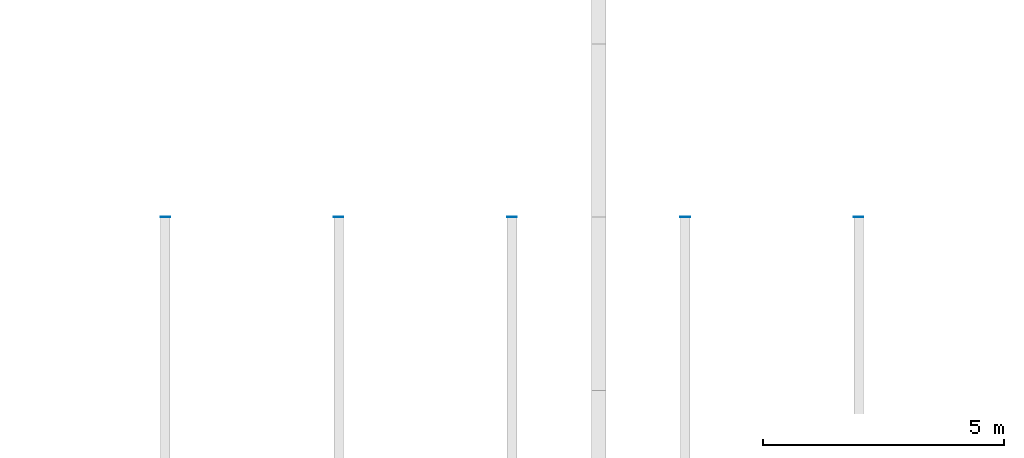
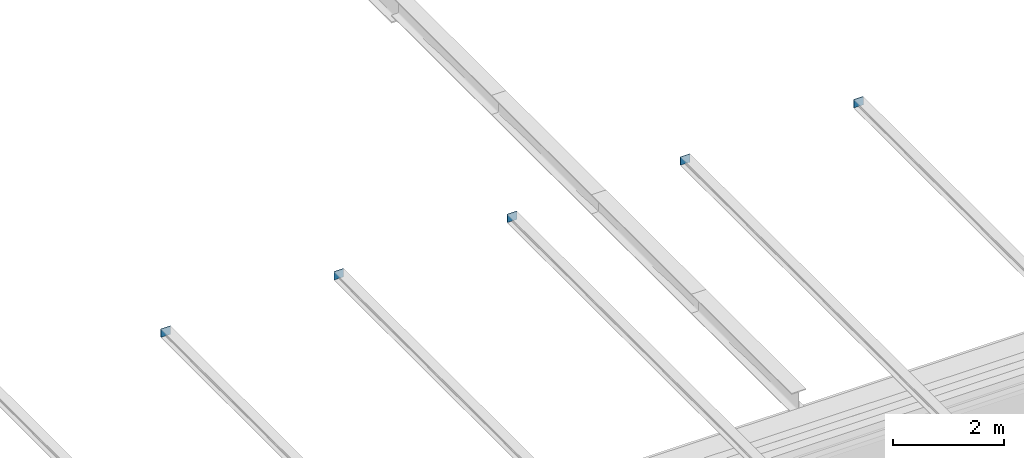
# One storey, part 60 of 110: 5 discrete accessories.
"""IFC4 building model written with IfcOpenShell, lengths in metres."""

from ifc_helpers import new_model, si_unit, direction, frame, origin, origin_2d, place, context, subcontext, project, spatial, rectangle, extrude, material, layer, layer_set, type_object, element, save


model = new_model("IFC4")

# Units and contexts
model_context = context("Model", 3, precision=1e-05, world=origin(), true_north=direction((0.0, 1.0)))
body_context = subcontext(model_context, "Body", "Model", "MODEL_VIEW")
ifc_project = project(units=[si_unit("LENGTHUNIT", "METRE"), si_unit("AREAUNIT", "SQUARE_METRE"), si_unit("VOLUMEUNIT", "CUBIC_METRE"), si_unit("PLANEANGLEUNIT", "RADIAN"), si_unit("MASSUNIT", "GRAM", prefix="KILO")], contexts=[model_context])

# Site, building, storey
site_placement = place(None, origin())
site = spatial("IfcSite", under=ifc_project, at=site_placement, CompositionType="ELEMENT")
building_placement = place(site_placement, origin())
building = spatial("IfcBuilding", under=site, at=building_placement, Name="Kupolbacken Congress Centre", CompositionType="ELEMENT")
storey_placement = place(building_placement, frame((0.0, 0.0, 18.0)))
storey = spatial("IfcBuildingStorey", under=building, at=storey_placement, Name="L05", CompositionType="ELEMENT", Elevation=18.0)

# Discrete accessories
ifc_material = material(Name="Steel S355", Category="steel")
ifc_layer = layer(ifc_material, 0.011962890625)
ifc_layer_set = layer_set([ifc_layer], Name="Steel S355")
discrete_accessory_type = type_object("IfcDiscreteAccessoryType", Name="BK3 bracket end plate 200 x 180 x 12", PredefinedType="BRACKET", material=ifc_layer_set)
for number, where, z_axis, x_axis, name in (
    (1, (156.60009765625, 50.406005859375, 3.60009765625), (0.0, 0.0, 1.0), (1.0, 0.0, 0.0), "Eave bracket end plate S20"),
    (2, (160.199951171875, 50.406005859375, 3.60009765625), (0.0, 0.0, 1.0), (1.0, 0.0, 0.0), "Eave bracket end plate S21"),
    (3, (163.800048828125, 50.406005859375, 3.60009765625), (0.0, 0.0, 1.0), (1.0, 0.0, 0.0), "Eave bracket end plate S22"),
    (4, (167.39990234375, 50.406005859375, 3.60009765625), (0.0, 0.0, 1.0), (1.0, 0.0, 0.0), "Eave bracket end plate S23"),
    (5, (171.0, 50.406005859375, 3.60009765625), (0.0, 0.0, 1.0), (1.0, 0.0, 0.0), "Eave bracket end plate S24"),
):
    element("IfcDiscreteAccessory", number, at=place(storey_placement, frame(where, z_axis=z_axis, x_axis=x_axis)), inside=storey, type_object=discrete_accessory_type, Name=name, PredefinedType="BRACKET", context=body_context, shape_type="SweptSolid", body=[
        extrude(rectangle(XDim=0.199951171875, YDim=0.011962890625, at=origin_2d()), origin(), (0.0, 0.0, 1.0), 0.179931640625),
    ])

save(model, "model.ifc")
